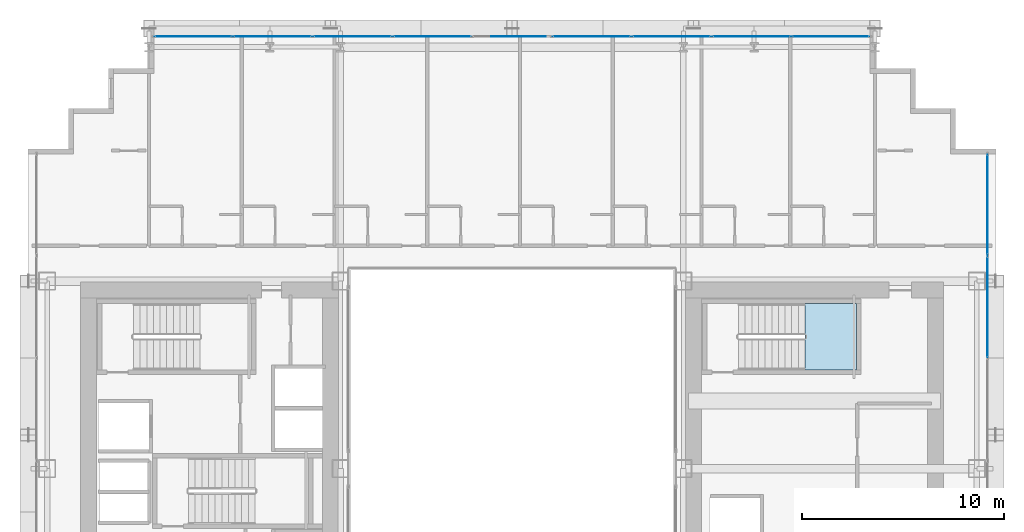
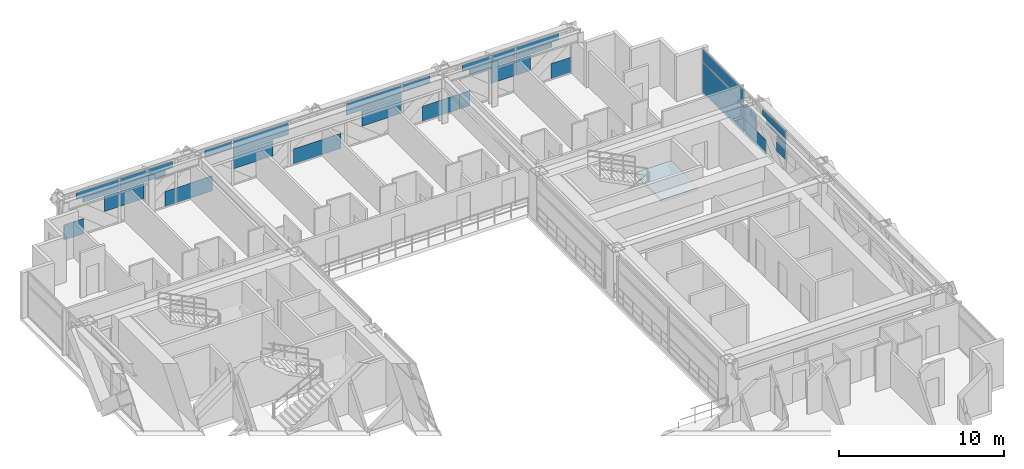
# One storey, part 30 of 41: 32 plates, 1 slab, 3 elements without a shape of their own.
"""IFC4 building model written with IfcOpenShell, lengths in metres."""

from ifc_helpers import new_model, si_unit, direction, frame, origin, origin_2d, place, context, subcontext, project, spatial, polyline, rectangle, outline, extrude, source, transform, mapped, material, layer, layer_set, type_object, element, aggregate, save


model = new_model("IFC4")

# Units and contexts
model_context = context("Model", 3, precision=1e-05, world=origin(), true_north=direction((0.0, 1.0)))
body_context = subcontext(model_context, "Body", "Model", "MODEL_VIEW")
ifc_project = project(units=[si_unit("LENGTHUNIT", "METRE"), si_unit("AREAUNIT", "SQUARE_METRE"), si_unit("VOLUMEUNIT", "CUBIC_METRE"), si_unit("PLANEANGLEUNIT", "RADIAN"), si_unit("MASSUNIT", "GRAM", prefix="KILO")], contexts=[model_context])

# Site, building, storey
site_placement = place(None, origin())
site = spatial("IfcSite", under=ifc_project, at=site_placement, CompositionType="ELEMENT")
building_placement = place(site_placement, origin())
building = spatial("IfcBuilding", under=site, at=building_placement, Name="Ocotamira Hotel", CompositionType="ELEMENT")
storey_placement = place(building_placement, frame((0.0, 0.0, 38.39990234375)))
storey = spatial("IfcBuildingStorey", under=building, at=storey_placement, Name="L08", CompositionType="ELEMENT", Elevation=38.39990234375)

# Stair, slab
ifc_material_1 = material(Name="Concrete C40/50", Category="concrete")
stair_type = type_object("IfcStairType", Name="ST-CORE-1560", PredefinedType="HALF_TURN_STAIR", material=ifc_material_1)
stair_placement = place(storey_placement, origin())
stair = element("IfcStair", 1, at=stair_placement, inside=storey, type_object=stair_type, Name="L08 Exit Stair ST-4", PredefinedType="HALF_TURN_STAIR")
ifc_layer_1 = layer(ifc_material_1, 0.199951171875)
ifc_layer_set_1 = layer_set([ifc_layer_1], Name="Concrete C40/50")
slab_type = type_object("IfcSlabType", Name="SLB-LAND-200", PredefinedType="LANDING", material=ifc_layer_set_1)
slab_placement = place(storey_placement, frame((0.0, 0.0, 1.60009765625)))
slab = element("IfcSlab", 2, at=slab_placement, type_object=slab_type, Name="ST-4 landing 1", PredefinedType="LANDING", context=body_context, shape_type="SweptSolid", body=[
    extrude(outline(polyline([(46.530029296875, 33.050048828125), (49.090087890625, 33.050048828125), (49.090087890625, 36.330078125), (46.530029296875, 36.330078125), (46.530029296875, 33.050048828125)])), origin(), (0.0, 0.0, 1.0), 0.199951171875),
])
aggregate(stair, [slab])

# Curtain wall, plates
ifc_material_2 = material(Name="Anodised pale-metal aluminium and solar glass", Category="aluminium")
ifc_layer_2 = layer(ifc_material_2, 0.179931640625)
ifc_layer_set_2 = layer_set([ifc_layer_2], Name="Anodised pale-metal aluminium and solar glass")
curtain_wall_type = type_object("IfcCurtainWallType", Name="CW-SYS2-Z1", PredefinedType="NOTDEFINED", material=ifc_layer_set_2)
curtain_wall_1_placement = place(storey_placement, origin())
curtain_wall_1 = element("IfcCurtainWall", 3, at=curtain_wall_1_placement, inside=storey, type_object=curtain_wall_type, Name="L08 Curtain Wall CW-2 CW-L08-N", PredefinedType="NOTDEFINED")
ifc_material_3 = material(Name="Double-silver low-E insulated solar glass", Category="glass")
ifc_layer_3 = layer(ifc_material_3, 0.031982421875)
ifc_layer_set_3 = layer_set([ifc_layer_3], Name="Double-silver low-E insulated solar glass")
plate_type = type_object("IfcPlateType", Name="CWP-VISION-32", PredefinedType="CURTAIN_PANEL", material=ifc_layer_set_3)
shared_shape_1 = source(origin(), body_context, "Body", "SweptSolid", [
    extrude(rectangle(XDim=3.87548828125, YDim=0.031982421875, at=origin_2d()), origin(), (0.0, 0.0, 1.0), 0.887451171875),
])
plate_1_placement = place(storey_placement, frame((28.04443359375, 49.580078125, 2.3876953125), z_axis=(0.0, 0.0, 1.0), x_axis=(1.0, 0.0, 0.0)))
plate_1 = element("IfcPlate", 4, at=plate_1_placement, type_object=plate_type, Name="CW-2 panel 4.2", PredefinedType="CURTAIN_PANEL", context=body_context, shape_type="MappedRepresentation", body=[
    mapped(shared_shape_1, transform((0.0, 0.0, 0.0), scale=1.0)),
])
plate_2_placement = place(storey_placement, frame((35.95556640625, 49.580078125, 2.3876953125), z_axis=(0.0, 0.0, 1.0), x_axis=(1.0, 0.0, 0.0)))
plate_2 = element("IfcPlate", 5, at=plate_2_placement, type_object=plate_type, Name="CW-2 panel 6.2", PredefinedType="CURTAIN_PANEL", context=body_context, shape_type="MappedRepresentation", body=[
    mapped(shared_shape_1, transform((0.0, 0.0, 0.0), scale=1.0)),
])

curtain_wall_2_placement = place(storey_placement, origin())
curtain_wall_2 = element("IfcCurtainWall", 6, at=curtain_wall_2_placement, inside=storey, type_object=curtain_wall_type, Name="L08 Curtain Wall CW-2 CW-L08-E", PredefinedType="NOTDEFINED")
shared_shape_2 = source(origin(), body_context, "Body", "SweptSolid", [
    extrude(rectangle(XDim=4.9658203125, YDim=0.031982421875, at=origin_2d()), origin(), (0.0, 0.0, 1.0), 2.237548828125),
])
plate_3_placement = place(storey_placement, frame((55.580078125, 41.237060546875, 0.0751953125), z_axis=(0.0, 0.0, 1.0), x_axis=(0.0, 1.0, 0.0)))
plate_3 = element("IfcPlate", 7, at=plate_3_placement, type_object=plate_type, Name="CW-2 panel 7.1", PredefinedType="CURTAIN_PANEL", context=body_context, shape_type="MappedRepresentation", body=[
    mapped(shared_shape_2, transform((0.0, 0.0, 0.0), scale=1.0)),
])
shared_shape_3 = source(origin(), body_context, "Body", "SweptSolid", [
    extrude(rectangle(XDim=4.9658203125, YDim=0.031982421875, at=origin_2d()), origin(), (0.0, 0.0, 1.0), 0.887451171875),
])
plate_4_placement = place(storey_placement, frame((55.580078125, 41.237060546875, 2.3876953125), z_axis=(0.0, 0.0, 1.0), x_axis=(0.0, 1.0, 0.0)))
plate_4 = element("IfcPlate", 8, at=plate_4_placement, type_object=plate_type, Name="CW-2 panel 7.2", PredefinedType="CURTAIN_PANEL", context=body_context, shape_type="MappedRepresentation", body=[
    mapped(shared_shape_3, transform((0.0, 0.0, 0.0), scale=1.0)),
])

# Plate
shared_shape_4 = source(origin(), body_context, "Body", "SweptSolid", [
    extrude(rectangle(XDim=1.382568359375, YDim=0.031982421875, at=origin_2d()), origin(), (0.0, 0.0, 1.0), 1.11865234375),
])
plate_5_placement = place(storey_placement, frame((14.97119140625, 49.580078125, 0.0751953125), z_axis=(0.0, 0.0, 1.0), x_axis=(1.0, 0.0, 0.0)))
plate_5 = element("IfcPlate", 9, at=plate_5_placement, type_object=plate_type, Name="CW-2 panel 1.1.1", PredefinedType="CURTAIN_PANEL", context=body_context, shape_type="MappedRepresentation", body=[
    mapped(shared_shape_4, transform((0.0, 0.0, 0.0), scale=1.0)),
])

plate_6_placement = place(storey_placement, frame((49.02880859375, 49.580078125, 0.0751953125), z_axis=(0.0, 0.0, 1.0), x_axis=(1.0, 0.0, 0.0)))
plate_6 = element("IfcPlate", 10, at=plate_6_placement, type_object=plate_type, Name="CW-2 panel 9.1.2", PredefinedType="CURTAIN_PANEL", context=body_context, shape_type="MappedRepresentation", body=[
    mapped(shared_shape_4, transform((0.0, 0.0, 0.0), scale=1.0)),
])

shared_shape_5 = source(origin(), body_context, "Body", "SweptSolid", [
    extrude(rectangle(XDim=1.012451171875, YDim=0.031982421875, at=origin_2d()), origin(), (0.0, 0.0, 1.0), 1.11865234375),
])
plate_7_placement = place(storey_placement, frame((17.609375, 49.580078125, 1.19384765625), z_axis=(0.0, 0.0, 1.0), x_axis=(1.0, 0.0, 0.0)))
plate_7 = element("IfcPlate", 11, at=plate_7_placement, type_object=plate_type, Name="CW-2 panel 1.1.2", PredefinedType="CURTAIN_PANEL", context=body_context, shape_type="MappedRepresentation", body=[
    mapped(shared_shape_5, transform((0.0, 0.0, 0.0), scale=1.0)),
])

plate_8_placement = place(storey_placement, frame((46.390625, 49.580078125, 1.19384765625), z_axis=(0.0, 0.0, 1.0), x_axis=(1.0, 0.0, 0.0)))
plate_8 = element("IfcPlate", 12, at=plate_8_placement, type_object=plate_type, Name="CW-2 panel 9.1.1", PredefinedType="CURTAIN_PANEL", context=body_context, shape_type="MappedRepresentation", body=[
    mapped(shared_shape_5, transform((0.0, 0.0, 0.0), scale=1.0)),
])

shared_shape_6 = source(origin(), body_context, "Body", "SweptSolid", [
    extrude(rectangle(XDim=2.9755859375, YDim=0.031982421875, at=origin_2d()), origin(), (0.0, 0.0, 1.0), 0.5107421875),
])
plate_9_placement = place(storey_placement, frame((16.627685546875, 49.580078125, 2.764404296875), z_axis=(0.0, 0.0, 1.0), x_axis=(1.0, 0.0, 0.0)))
plate_9 = element("IfcPlate", 13, at=plate_9_placement, type_object=plate_type, Name="CW-2 panel 1.2.1", PredefinedType="CURTAIN_PANEL", context=body_context, shape_type="MappedRepresentation", body=[
    mapped(shared_shape_6, transform((0.0, 0.0, 0.0), scale=1.0)),
])

plate_10_placement = place(storey_placement, frame((47.372314453125, 49.580078125, 2.764404296875), z_axis=(0.0, 0.0, 1.0), x_axis=(1.0, 0.0, 0.0)))
plate_10 = element("IfcPlate", 14, at=plate_10_placement, type_object=plate_type, Name="CW-2 panel 9.2.2", PredefinedType="CURTAIN_PANEL", context=body_context, shape_type="MappedRepresentation", body=[
    mapped(shared_shape_6, transform((0.0, 0.0, 0.0), scale=1.0)),
])

shared_shape_7 = source(origin(), body_context, "Body", "SweptSolid", [
    extrude(rectangle(XDim=2.504638671875, YDim=0.031982421875, at=origin_2d()), origin(), (0.0, 0.0, 1.0), 0.345458984375),
])
plate_11_placement = place(storey_placement, frame((16.86328125, 49.580078125, 2.3876953125), z_axis=(0.0, 0.0, 1.0), x_axis=(1.0, 0.0, 0.0)))
plate_11 = element("IfcPlate", 15, at=plate_11_placement, type_object=plate_type, Name="CW-2 panel 1.2.2", PredefinedType="CURTAIN_PANEL", context=body_context, shape_type="MappedRepresentation", body=[
    mapped(shared_shape_7, transform((0.0, 0.0, 0.0), scale=1.0)),
])

plate_12_placement = place(storey_placement, frame((47.13671875, 49.580078125, 2.3876953125), z_axis=(0.0, 0.0, 1.0), x_axis=(1.0, 0.0, 0.0)))
plate_12 = element("IfcPlate", 16, at=plate_12_placement, type_object=plate_type, Name="CW-2 panel 9.2.1", PredefinedType="CURTAIN_PANEL", context=body_context, shape_type="MappedRepresentation", body=[
    mapped(shared_shape_7, transform((0.0, 0.0, 0.0), scale=1.0)),
])

shared_shape_8 = source(origin(), body_context, "Body", "SweptSolid", [
    extrude(rectangle(XDim=1.701416015625, YDim=0.031982421875, at=origin_2d()), origin(), (0.0, 0.0, 1.0), 1.11865234375),
])
plate_13_placement = place(storey_placement, frame((19.046142578125, 49.580078125, 1.19384765625), z_axis=(0.0, 0.0, 1.0), x_axis=(1.0, 0.0, 0.0)))
plate_13 = element("IfcPlate", 17, at=plate_13_placement, type_object=plate_type, Name="CW-2 panel 2.1.1", PredefinedType="CURTAIN_PANEL", context=body_context, shape_type="MappedRepresentation", body=[
    mapped(shared_shape_8, transform((0.0, 0.0, 0.0), scale=1.0)),
])

plate_14_placement = place(storey_placement, frame((44.953857421875, 49.580078125, 1.19384765625), z_axis=(0.0, 0.0, 1.0), x_axis=(1.0, 0.0, 0.0)))
plate_14 = element("IfcPlate", 18, at=plate_14_placement, type_object=plate_type, Name="CW-2 panel 8.1.2", PredefinedType="CURTAIN_PANEL", context=body_context, shape_type="MappedRepresentation", body=[
    mapped(shared_shape_8, transform((0.0, 0.0, 0.0), scale=1.0)),
])

shared_shape_9 = source(origin(), body_context, "Body", "SweptSolid", [
    extrude(rectangle(XDim=0.733642578125, YDim=0.031982421875, at=origin_2d()), origin(), (0.0, 0.0, 1.0), 1.11865234375),
])
plate_15_placement = place(storey_placement, frame((21.704345703125, 49.580078125, 0.0751953125), z_axis=(0.0, 0.0, 1.0), x_axis=(1.0, 0.0, 0.0)))
plate_15 = element("IfcPlate", 19, at=plate_15_placement, type_object=plate_type, Name="CW-2 panel 2.1.2", PredefinedType="CURTAIN_PANEL", context=body_context, shape_type="MappedRepresentation", body=[
    mapped(shared_shape_9, transform((0.0, 0.0, 0.0), scale=1.0)),
])

plate_16_placement = place(storey_placement, frame((42.295654296875, 49.580078125, 0.0751953125), z_axis=(0.0, 0.0, 1.0), x_axis=(1.0, 0.0, 0.0)))
plate_16 = element("IfcPlate", 20, at=plate_16_placement, type_object=plate_type, Name="CW-2 panel 8.1.1", PredefinedType="CURTAIN_PANEL", context=body_context, shape_type="MappedRepresentation", body=[
    mapped(shared_shape_9, transform((0.0, 0.0, 0.0), scale=1.0)),
])

shared_shape_10 = source(origin(), body_context, "Body", "SweptSolid", [
    extrude(rectangle(XDim=3.193603515625, YDim=0.031982421875, at=origin_2d()), origin(), (0.0, 0.0, 1.0), 0.376708984375),
])
plate_17_placement = place(storey_placement, frame((19.792236328125, 49.580078125, 2.3876953125), z_axis=(0.0, 0.0, 1.0), x_axis=(1.0, 0.0, 0.0)))
plate_17 = element("IfcPlate", 21, at=plate_17_placement, type_object=plate_type, Name="CW-2 panel 2.2.1", PredefinedType="CURTAIN_PANEL", context=body_context, shape_type="MappedRepresentation", body=[
    mapped(shared_shape_10, transform((0.0, 0.0, 0.0), scale=1.0)),
])

plate_18_placement = place(storey_placement, frame((44.207763671875, 49.580078125, 2.3876953125), z_axis=(0.0, 0.0, 1.0), x_axis=(1.0, 0.0, 0.0)))
plate_18 = element("IfcPlate", 22, at=plate_18_placement, type_object=plate_type, Name="CW-2 panel 8.2.2", PredefinedType="CURTAIN_PANEL", context=body_context, shape_type="MappedRepresentation", body=[
    mapped(shared_shape_10, transform((0.0, 0.0, 0.0), scale=1.0)),
])

shared_shape_11 = source(origin(), body_context, "Body", "SweptSolid", [
    extrude(rectangle(XDim=3.664306640625, YDim=0.031982421875, at=origin_2d()), origin(), (0.0, 0.0, 1.0), 0.5107421875),
])
plate_19_placement = place(storey_placement, frame((20.027587890625, 49.580078125, 2.764404296875), z_axis=(0.0, 0.0, 1.0), x_axis=(1.0, 0.0, 0.0)))
plate_19 = element("IfcPlate", 23, at=plate_19_placement, type_object=plate_type, Name="CW-2 panel 2.2.2", PredefinedType="CURTAIN_PANEL", context=body_context, shape_type="MappedRepresentation", body=[
    mapped(shared_shape_11, transform((0.0, 0.0, 0.0), scale=1.0)),
])

plate_20_placement = place(storey_placement, frame((43.972412109375, 49.580078125, 2.764404296875), z_axis=(0.0, 0.0, 1.0), x_axis=(1.0, 0.0, 0.0)))
plate_20 = element("IfcPlate", 24, at=plate_20_placement, type_object=plate_type, Name="CW-2 panel 8.2.1", PredefinedType="CURTAIN_PANEL", context=body_context, shape_type="MappedRepresentation", body=[
    mapped(shared_shape_11, transform((0.0, 0.0, 0.0), scale=1.0)),
])

shared_shape_12 = source(origin(), body_context, "Body", "SweptSolid", [
    extrude(rectangle(XDim=2.51123046875, YDim=0.031982421875, at=origin_2d()), origin(), (0.0, 0.0, 1.0), 1.11865234375),
])
plate_21_placement = place(storey_placement, frame((23.40673828125, 49.580078125, 0.0751953125), z_axis=(0.0, 0.0, 1.0), x_axis=(1.0, 0.0, 0.0)))
plate_21 = element("IfcPlate", 25, at=plate_21_placement, type_object=plate_type, Name="CW-2 panel 3.1.1", PredefinedType="CURTAIN_PANEL", context=body_context, shape_type="MappedRepresentation", body=[
    mapped(shared_shape_12, transform((0.0, 0.0, 0.0), scale=1.0)),
])

shared_shape_13 = source(origin(), body_context, "Body", "SweptSolid", [
    extrude(rectangle(XDim=1.88671875, YDim=0.031982421875, at=origin_2d()), origin(), (0.0, 0.0, 1.0), 0.5107421875),
])
plate_22_placement = place(storey_placement, frame((25.08349609375, 49.580078125, 2.764404296875), z_axis=(0.0, 0.0, 1.0), x_axis=(1.0, 0.0, 0.0)))
plate_22 = element("IfcPlate", 26, at=plate_22_placement, type_object=plate_type, Name="CW-2 panel 3.2.1", PredefinedType="CURTAIN_PANEL", context=body_context, shape_type="MappedRepresentation", body=[
    mapped(shared_shape_13, transform((0.0, 0.0, 0.0), scale=1.0)),
])

plate_23_placement = place(storey_placement, frame((38.91650390625, 49.580078125, 2.764404296875), z_axis=(0.0, 0.0, 1.0), x_axis=(1.0, 0.0, 0.0)))
plate_23 = element("IfcPlate", 27, at=plate_23_placement, type_object=plate_type, Name="CW-2 panel 7.2.1", PredefinedType="CURTAIN_PANEL", context=body_context, shape_type="MappedRepresentation", body=[
    mapped(shared_shape_13, transform((0.0, 0.0, 0.0), scale=1.0)),
])

shared_shape_14 = source(origin(), body_context, "Body", "SweptSolid", [
    extrude(rectangle(XDim=2.790283203125, YDim=0.031982421875, at=origin_2d()), origin(), (0.0, 0.0, 1.0), 1.11865234375),
])
plate_24_placement = place(storey_placement, frame((27.501708984375, 49.580078125, 1.19384765625), z_axis=(0.0, 0.0, 1.0), x_axis=(1.0, 0.0, 0.0)))
plate_24 = element("IfcPlate", 28, at=plate_24_placement, type_object=plate_type, Name="CW-2 panel 4.1.1", PredefinedType="CURTAIN_PANEL", context=body_context, shape_type="MappedRepresentation", body=[
    mapped(shared_shape_14, transform((0.0, 0.0, 0.0), scale=1.0)),
])

plate_25_placement = place(storey_placement, frame((36.498291015625, 49.580078125, 1.19384765625), z_axis=(0.0, 0.0, 1.0), x_axis=(1.0, 0.0, 0.0)))
plate_25 = element("IfcPlate", 29, at=plate_25_placement, type_object=plate_type, Name="CW-2 panel 6.1.1", PredefinedType="CURTAIN_PANEL", context=body_context, shape_type="MappedRepresentation", body=[
    mapped(shared_shape_14, transform((0.0, 0.0, 0.0), scale=1.0)),
])

shared_shape_15 = source(origin(), body_context, "Body", "SweptSolid", [
    extrude(rectangle(XDim=3.324951171875, YDim=0.031982421875, at=origin_2d()), origin(), (0.0, 0.0, 1.0), 1.11865234375),
])
plate_26_placement = place(storey_placement, frame((32.0, 49.580078125, 0.0751953125), z_axis=(0.0, 0.0, 1.0), x_axis=(1.0, 0.0, 0.0)))
plate_26 = element("IfcPlate", 30, at=plate_26_placement, type_object=plate_type, Name="CW-2 panel 5.1.1", PredefinedType="CURTAIN_PANEL", context=body_context, shape_type="MappedRepresentation", body=[
    mapped(shared_shape_15, transform((0.0, 0.0, 0.0), scale=1.0)),
])

shared_shape_16 = source(origin(), body_context, "Body", "SweptSolid", [
    extrude(rectangle(XDim=2.511474609375, YDim=0.031982421875, at=origin_2d()), origin(), (0.0, 0.0, 1.0), 1.11865234375),
])
plate_27_placement = place(storey_placement, frame((40.59326171875, 49.580078125, 0.0751953125), z_axis=(0.0, 0.0, 1.0), x_axis=(1.0, 0.0, 0.0)))
plate_27 = element("IfcPlate", 31, at=plate_27_placement, type_object=plate_type, Name="CW-2 panel 7.1.1", PredefinedType="CURTAIN_PANEL", context=body_context, shape_type="MappedRepresentation", body=[
    mapped(shared_shape_16, transform((0.0, 0.0, 0.0), scale=1.0)),
])

aggregate(curtain_wall_1, [plate_5, plate_7, plate_9, plate_11, plate_13, plate_15, plate_17, plate_19, plate_21, plate_22, plate_24, plate_1, plate_26, plate_25, plate_2, plate_27, plate_23, plate_16, plate_14, plate_20, plate_18, plate_8, plate_6, plate_12, plate_10])

shared_shape_17 = source(origin(), body_context, "Body", "SweptSolid", [
    extrude(rectangle(XDim=2.58935546875, YDim=0.031982421875, at=origin_2d()), origin(), (0.0, 0.0, 1.0), 1.11865234375),
])
plate_28_placement = place(storey_placement, frame((55.580078125, 37.379638671875, 0.0751953125), z_axis=(0.0, 0.0, 1.0), x_axis=(0.0, 1.0, 0.0)))
plate_28 = element("IfcPlate", 32, at=plate_28_placement, type_object=plate_type, Name="CW-2 panel 6.1.2", PredefinedType="CURTAIN_PANEL", context=body_context, shape_type="MappedRepresentation", body=[
    mapped(shared_shape_17, transform((0.0, 0.0, 0.0), scale=1.0)),
])

shared_shape_18 = source(origin(), body_context, "Body", "SweptSolid", [
    extrude(rectangle(XDim=1.4033203125, YDim=0.031982421875, at=origin_2d()), origin(), (0.0, 0.0, 1.0), 1.11865234375),
])
plate_29_placement = place(storey_placement, frame((55.580078125, 37.97265625, 1.19384765625), z_axis=(0.0, 0.0, 1.0), x_axis=(0.0, 1.0, 0.0)))
plate_29 = element("IfcPlate", 33, at=plate_29_placement, type_object=plate_type, Name="CW-2 panel 6.1.3", PredefinedType="CURTAIN_PANEL", context=body_context, shape_type="MappedRepresentation", body=[
    mapped(shared_shape_18, transform((0.0, 0.0, 0.0), scale=1.0)),
])

shared_shape_19 = source(origin(), body_context, "Body", "SweptSolid", [
    extrude(rectangle(XDim=1.104736328125, YDim=0.031982421875, at=origin_2d()), origin(), (0.0, 0.0, 1.0), 1.11865234375),
])
plate_30_placement = place(storey_placement, frame((55.580078125, 34.220947265625, 1.19384765625), z_axis=(0.0, 0.0, 1.0), x_axis=(0.0, 1.0, 0.0)))
plate_30 = element("IfcPlate", 34, at=plate_30_placement, type_object=plate_type, Name="CW-2 panel 6.1.1", PredefinedType="CURTAIN_PANEL", context=body_context, shape_type="MappedRepresentation", body=[
    mapped(shared_shape_19, transform((0.0, 0.0, 0.0), scale=1.0)),
])

shared_shape_20 = source(origin(), body_context, "Body", "SweptSolid", [
    extrude(rectangle(XDim=2.796630859375, YDim=0.031982421875, at=origin_2d()), origin(), (0.0, 0.0, 1.0), 0.485107421875),
])
plate_31_placement = place(storey_placement, frame((55.580078125, 35.06689453125, 2.7900390625), z_axis=(0.0, 0.0, 1.0), x_axis=(0.0, 1.0, 0.0)))
plate_31 = element("IfcPlate", 35, at=plate_31_placement, type_object=plate_type, Name="CW-2 panel 6.2.2", PredefinedType="CURTAIN_PANEL", context=body_context, shape_type="MappedRepresentation", body=[
    mapped(shared_shape_20, transform((0.0, 0.0, 0.0), scale=1.0)),
])

shared_shape_21 = source(origin(), body_context, "Body", "SweptSolid", [
    extrude(rectangle(XDim=2.3701171875, YDim=0.031982421875, at=origin_2d()), origin(), (0.0, 0.0, 1.0), 0.367919921875),
])
plate_32_placement = place(storey_placement, frame((55.580078125, 34.853759765625, 2.3876953125), z_axis=(0.0, 0.0, 1.0), x_axis=(0.0, 1.0, 0.0)))
plate_32 = element("IfcPlate", 36, at=plate_32_placement, type_object=plate_type, Name="CW-2 panel 6.2.1", PredefinedType="CURTAIN_PANEL", context=body_context, shape_type="MappedRepresentation", body=[
    mapped(shared_shape_21, transform((0.0, 0.0, 0.0), scale=1.0)),
])

aggregate(curtain_wall_2, [plate_30, plate_28, plate_29, plate_32, plate_31, plate_3, plate_4])

save(model, "model.ifc")
